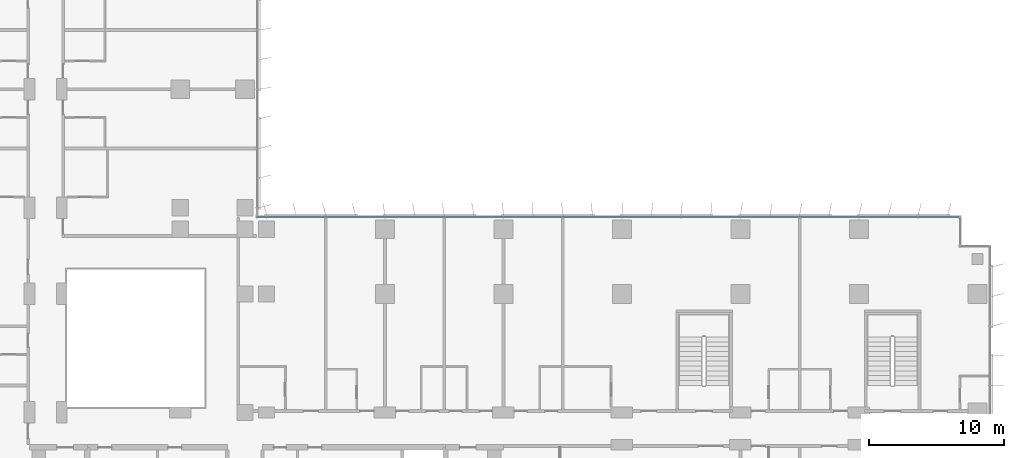
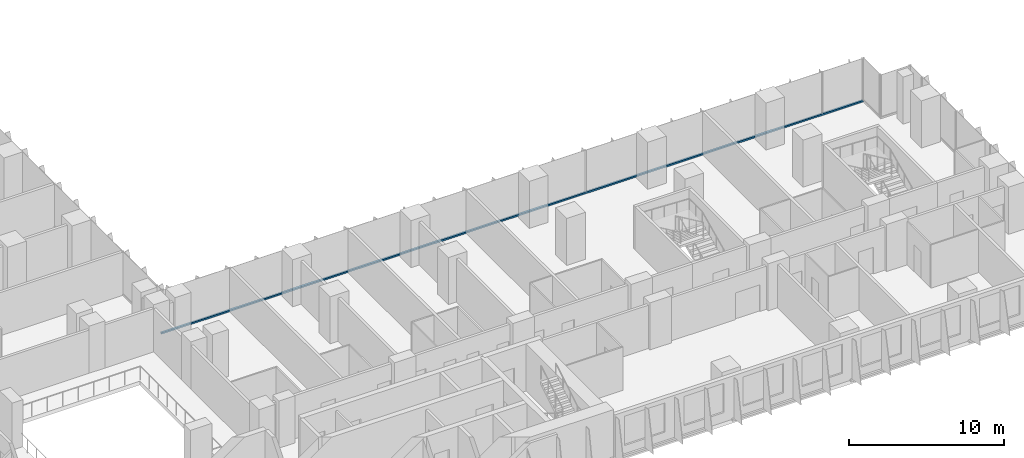
# One storey, part 3 of 24: 1 member, 1 element without a shape of its own.
"""IFC4 building model written with IfcOpenShell, lengths in metres."""

from ifc_helpers import new_model, si_unit, direction, frame, origin, origin_2d, place, context, subcontext, project, spatial, rectangle, extrude, material, material_profile, profile_set, type_object, element, aggregate, save


model = new_model("IFC4")

# Units and contexts
model_context = context("Model", 3, precision=1e-05, world=origin(), true_north=direction((0.0, 1.0)))
body_context = subcontext(model_context, "Body", "Model", "MODEL_VIEW")
ifc_project = project(units=[si_unit("LENGTHUNIT", "METRE"), si_unit("AREAUNIT", "SQUARE_METRE"), si_unit("VOLUMEUNIT", "CUBIC_METRE"), si_unit("PLANEANGLEUNIT", "RADIAN"), si_unit("MASSUNIT", "GRAM", prefix="KILO")], contexts=[model_context])

# Site, building, storey
site_placement = place(None, origin())
site = spatial("IfcSite", under=ifc_project, at=site_placement, CompositionType="ELEMENT")
building_placement = place(site_placement, origin())
building = spatial("IfcBuilding", under=site, at=building_placement, Name="Kemantara Hotel Tower", CompositionType="ELEMENT")
storey_placement = place(building_placement, frame((0.0, 0.0, 63.60009765625)))
storey = spatial("IfcBuildingStorey", under=building, at=storey_placement, Name="L14", CompositionType="ELEMENT", Elevation=63.60009765625)

# Curtain wall, member
ifc_material_1 = material(Name="Low-E tinted double insulated glass 36 mm", Category="glass")
curtain_wall_type = type_object("IfcCurtainWallType", Name="TOWER CURTAIN WALL, FRONT FACES", PredefinedType="USERDEFINED", material=ifc_material_1)
curtain_wall_placement = place(storey_placement, origin())
curtain_wall = element("IfcCurtainWall", 1, at=curtain_wall_placement, inside=storey, type_object=curtain_wall_type, Name="CW4 L14 T1-R07-1", ObjectType="TOWER CURTAIN WALL, FRONT FACES", PredefinedType="USERDEFINED")
ifc_material_2 = material(Name="Aluminium 6063-T6 bronze anodised", Category="aluminium")
ifc_material_profile = material_profile(ifc_material_2, rectangle(XDim=0.14990234375, YDim=0.1201171875, at=origin_2d()), Name="TOWER CURTAIN WALL, FRONT FACES TRANSOM")
ifc_profile_set = profile_set([ifc_material_profile], Name="Aluminium 6063-T6 bronze anodised")
member_type = type_object("IfcMemberType", Name="TOWER CURTAIN WALL, FRONT FACES TRANSOM", PredefinedType="USERDEFINED", material=ifc_profile_set)
member_placement = place(storey_placement, frame((78.85009765625, 26.72509765625, 0.059814453125), z_axis=(-1.0, 0.0, 0.0), x_axis=(0.0, -1.0, 0.0)))
member = element("IfcMember", 2, at=member_placement, type_object=member_type, Name="CW4 sill transom T1-R07-1", ObjectType="TRANSOM", PredefinedType="USERDEFINED", context=body_context, shape_type="SweptSolid", body=[
    extrude(rectangle(XDim=0.14990234375, YDim=0.1201171875, at=origin_2d()), origin(), (0.0, 0.0, 1.0), 52.2001953125),
])
aggregate(curtain_wall, [member])

save(model, "model.ifc")
